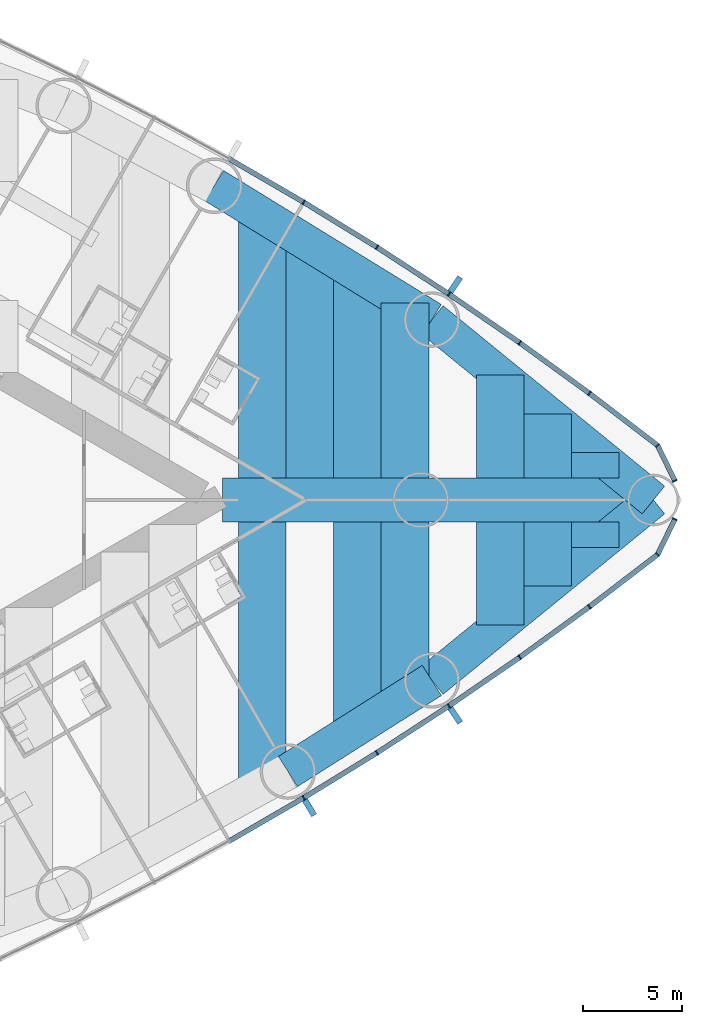
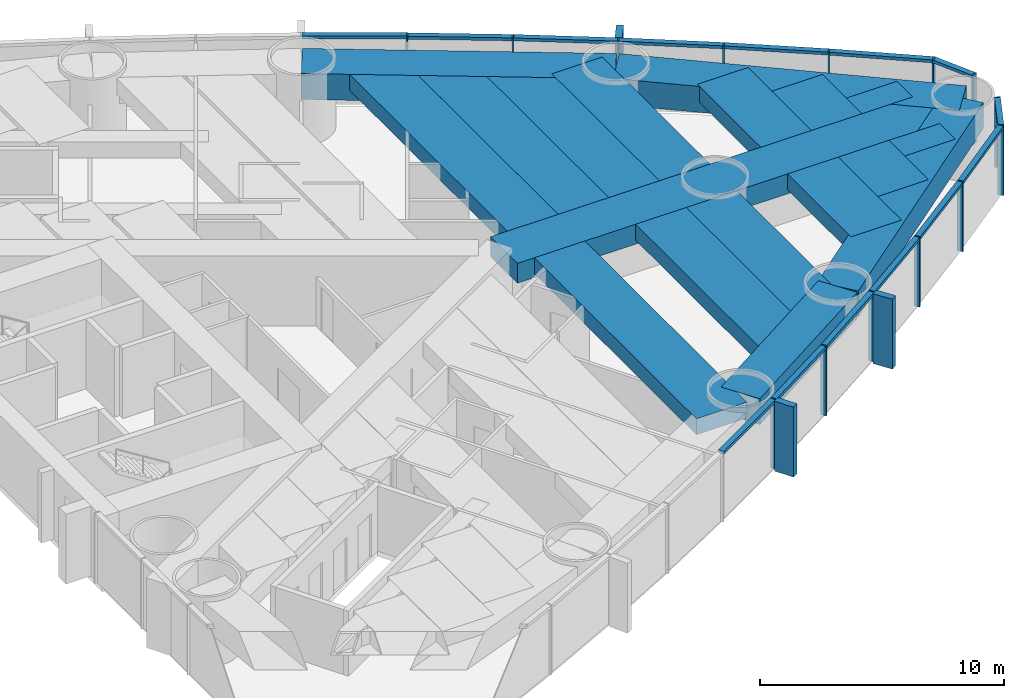
# One storey, part 8 of 19: 31 members, 18 beams, 2 elements without a shape of their own.
"""IFC4 building model written with IfcOpenShell, lengths in metres."""

from ifc_helpers import new_model, si_unit, direction, frame, origin, origin_2d, place, context, subcontext, project, spatial, rectangle, extrude, material, material_profile, profile_set, type_object, element, aggregate, save


model = new_model("IFC4")

# Units and contexts
model_context = context("Model", 3, precision=1e-05, world=origin(), true_north=direction((0.0, 1.0)))
body_context = subcontext(model_context, "Body", "Model", "MODEL_VIEW")
ifc_project = project(units=[si_unit("LENGTHUNIT", "METRE"), si_unit("AREAUNIT", "SQUARE_METRE"), si_unit("VOLUMEUNIT", "CUBIC_METRE"), si_unit("PLANEANGLEUNIT", "RADIAN"), si_unit("MASSUNIT", "GRAM", prefix="KILO")], contexts=[model_context])

# Site, building, storey
site_placement = place(None, origin())
site = spatial("IfcSite", under=ifc_project, at=site_placement, CompositionType="ELEMENT")
building_placement = place(site_placement, origin())
building = spatial("IfcBuilding", under=site, at=building_placement, Name="Lancet Gate Hotel", CompositionType="ELEMENT")
storey_placement = place(building_placement, frame((0.0, 0.0, 32.0)))
storey = spatial("IfcBuildingStorey", under=building, at=storey_placement, Name="L07", CompositionType="ELEMENT", Elevation=32.0)

# Curtain wall, members
ifc_material_1 = material(Name="Aluminium curtain wall", Category="aluminium")
curtain_wall_type = type_object("IfcCurtainWallType", Name="Tower unitised curtain wall", PredefinedType="USERDEFINED", material=ifc_material_1)
curtain_wall_1_placement = place(storey_placement, origin())
curtain_wall_1 = element("IfcCurtainWall", 1, at=curtain_wall_1_placement, inside=storey, type_object=curtain_wall_type, Name="T2 L07 curtain wall 2", ObjectType="UNITISED CURTAIN WALL", PredefinedType="USERDEFINED")
ifc_material_2 = material(Name="Aluminium mullion", Category="aluminium")
ifc_material_profile_1 = material_profile(ifc_material_2, rectangle(XDim=0.06494140625, YDim=0.25, at=origin_2d()), Name="MULLION 65x250")
ifc_profile_set_1 = profile_set([ifc_material_profile_1], Name="Aluminium mullion")
member_type_1 = type_object("IfcMemberType", Name="Aluminium mullion 65x250", PredefinedType="MULLION", material=ifc_profile_set_1)
member_1_placement = place(storey_placement, frame((55.590087890625, -15.03125, 0.0), z_axis=(0.0, 0.0, 1.0), x_axis=(0.858413008828, 0.512959166284, 0.0)))
member_1 = element("IfcMember", 2, at=member_1_placement, type_object=member_type_1, Name="T2 L07 curtain wall 2 mullion 8", PredefinedType="MULLION", context=body_context, shape_type="SweptSolid", body=[
    extrude(rectangle(XDim=0.06494140625, YDim=0.25, at=origin_2d()), origin(), (0.0, 0.0, 1.0), 3.5),
])
member_2_placement = place(storey_placement, frame((59.28515625, -12.7587890625, 0.0), z_axis=(0.0, 0.0, 1.0), x_axis=(0.845079420983, 0.534640788035, 0.0)))
member_2 = element("IfcMember", 3, at=member_2_placement, type_object=member_type_1, Name="T2 L07 curtain wall 2 mullion 9", PredefinedType="MULLION", context=body_context, shape_type="SweptSolid", body=[
    extrude(rectangle(XDim=0.06494140625, YDim=0.25, at=origin_2d()), origin(), (0.0, 0.0, 1.0), 3.5),
])
member_3_placement = place(storey_placement, frame((62.921142578125, -10.393310546875, 0.0), z_axis=(0.0, 0.0, 1.0), x_axis=(0.831198325377, 0.555976028162, 0.0)))
member_3 = element("IfcMember", 4, at=member_3_placement, type_object=member_type_1, Name="T2 L07 curtain wall 2 mullion 10", PredefinedType="MULLION", context=body_context, shape_type="SweptSolid", body=[
    extrude(rectangle(XDim=0.06494140625, YDim=0.25, at=origin_2d()), origin(), (0.0, 0.0, 1.0), 3.5),
])
member_4_placement = place(storey_placement, frame((66.49560546875, -7.935791015625, 0.0), z_axis=(0.0, 0.0, 1.0), x_axis=(0.816778715254, 0.576951064049, 0.0)))
member_4 = element("IfcMember", 5, at=member_4_placement, type_object=member_type_1, Name="T2 L07 curtain wall 2 mullion 11", PredefinedType="MULLION", context=body_context, shape_type="SweptSolid", body=[
    extrude(rectangle(XDim=0.06494140625, YDim=0.25, at=origin_2d()), origin(), (0.0, 0.0, 1.0), 3.5),
])
member_5_placement = place(storey_placement, frame((70.00634765625, -5.388427734375, 0.0), z_axis=(0.0, 0.0, 1.0), x_axis=(0.801829932754, 0.597552306447, 0.0)))
member_5 = element("IfcMember", 6, at=member_5_placement, type_object=member_type_1, Name="T2 L07 curtain wall 2 mullion 12", PredefinedType="MULLION", context=body_context, shape_type="SweptSolid", body=[
    extrude(rectangle(XDim=0.06494140625, YDim=0.25, at=origin_2d()), origin(), (0.0, 0.0, 1.0), 3.5),
])
member_6_placement = place(storey_placement, frame((73.451416015625, -2.752197265625, 0.0), z_axis=(0.0, 0.0, 1.0), x_axis=(0.697983022443, 0.716114306784, 0.0)))
member_6 = element("IfcMember", 7, at=member_6_placement, type_object=member_type_1, Name="T2 L07 curtain wall 2 mullion 13", PredefinedType="MULLION", context=body_context, shape_type="SweptSolid", body=[
    extrude(rectangle(XDim=0.06494140625, YDim=0.25, at=origin_2d()), origin(), (0.0, 0.0, 1.0), 3.5),
])
member_7_placement = place(storey_placement, frame((74.322265625, -0.96044921875, 0.0), z_axis=(0.0, 0.0, 1.0), x_axis=(0.437169070119, 0.899379343843, 0.0)))
member_7 = element("IfcMember", 8, at=member_7_placement, type_object=member_type_1, Name="T2 L07 curtain wall 2 mullion 14", PredefinedType="MULLION", context=body_context, shape_type="SweptSolid", body=[
    extrude(rectangle(XDim=0.06494140625, YDim=0.25, at=origin_2d()), origin(), (0.0, 0.0, 1.0), 3.5),
])

curtain_wall_2_placement = place(storey_placement, origin())
curtain_wall_2 = element("IfcCurtainWall", 9, at=curtain_wall_2_placement, inside=storey, type_object=curtain_wall_type, Name="T2 L07 curtain wall 3", ObjectType="UNITISED CURTAIN WALL", PredefinedType="USERDEFINED")
member_8_placement = place(storey_placement, frame((74.322265625, 0.96044921875, 0.0), z_axis=(0.0, 0.0, 1.0), x_axis=(-0.437169070119, 0.899379343843, 0.0)))
member_8 = element("IfcMember", 10, at=member_8_placement, type_object=member_type_1, Name="T2 L07 curtain wall 3 mullion 1", PredefinedType="MULLION", context=body_context, shape_type="SweptSolid", body=[
    extrude(rectangle(XDim=0.06494140625, YDim=0.25, at=origin_2d()), origin(), (0.0, 0.0, 1.0), 3.5),
])
member_9_placement = place(storey_placement, frame((73.451416015625, 2.752197265625, 0.0), z_axis=(0.0, 0.0, 1.0), x_axis=(-0.697983022443, 0.716114306784, 0.0)))
member_9 = element("IfcMember", 11, at=member_9_placement, type_object=member_type_1, Name="T2 L07 curtain wall 3 mullion 2", PredefinedType="MULLION", context=body_context, shape_type="SweptSolid", body=[
    extrude(rectangle(XDim=0.06494140625, YDim=0.25, at=origin_2d()), origin(), (0.0, 0.0, 1.0), 3.5),
])
member_10_placement = place(storey_placement, frame((70.00634765625, 5.388427734375, 0.0), z_axis=(0.0, 0.0, 1.0), x_axis=(-0.801829932754, 0.597552306447, 0.0)))
member_10 = element("IfcMember", 12, at=member_10_placement, type_object=member_type_1, Name="T2 L07 curtain wall 3 mullion 3", PredefinedType="MULLION", context=body_context, shape_type="SweptSolid", body=[
    extrude(rectangle(XDim=0.06494140625, YDim=0.25, at=origin_2d()), origin(), (0.0, 0.0, 1.0), 3.5),
])
member_11_placement = place(storey_placement, frame((66.49560546875, 7.935791015625, 0.0), z_axis=(0.0, 0.0, 1.0), x_axis=(-0.816778715254, 0.576951064049, 0.0)))
member_11 = element("IfcMember", 13, at=member_11_placement, type_object=member_type_1, Name="T2 L07 curtain wall 3 mullion 4", PredefinedType="MULLION", context=body_context, shape_type="SweptSolid", body=[
    extrude(rectangle(XDim=0.06494140625, YDim=0.25, at=origin_2d()), origin(), (0.0, 0.0, 1.0), 3.5),
])
member_12_placement = place(storey_placement, frame((62.921142578125, 10.393310546875, 0.0), z_axis=(0.0, 0.0, 1.0), x_axis=(-0.831198325377, 0.555976028162, 0.0)))
member_12 = element("IfcMember", 14, at=member_12_placement, type_object=member_type_1, Name="T2 L07 curtain wall 3 mullion 5", PredefinedType="MULLION", context=body_context, shape_type="SweptSolid", body=[
    extrude(rectangle(XDim=0.06494140625, YDim=0.25, at=origin_2d()), origin(), (0.0, 0.0, 1.0), 3.5),
])
member_13_placement = place(storey_placement, frame((59.28515625, 12.7587890625, 0.0), z_axis=(0.0, 0.0, 1.0), x_axis=(-0.845079420983, 0.534640788035, 0.0)))
member_13 = element("IfcMember", 15, at=member_13_placement, type_object=member_type_1, Name="T2 L07 curtain wall 3 mullion 6", PredefinedType="MULLION", context=body_context, shape_type="SweptSolid", body=[
    extrude(rectangle(XDim=0.06494140625, YDim=0.25, at=origin_2d()), origin(), (0.0, 0.0, 1.0), 3.5),
])
member_14_placement = place(storey_placement, frame((55.590087890625, 15.03125, 0.0), z_axis=(0.0, 0.0, 1.0), x_axis=(-0.858413008828, 0.512959166284, 0.0)))
member_14 = element("IfcMember", 16, at=member_14_placement, type_object=member_type_1, Name="T2 L07 curtain wall 3 mullion 7", PredefinedType="MULLION", context=body_context, shape_type="SweptSolid", body=[
    extrude(rectangle(XDim=0.06494140625, YDim=0.25, at=origin_2d()), origin(), (0.0, 0.0, 1.0), 3.5),
])

# Member
ifc_material_3 = material(Name="Aluminium transom", Category="aluminium")
ifc_material_profile_2 = material_profile(ifc_material_3, rectangle(XDim=0.25, YDim=0.14990234375, at=origin_2d()), Name="TRANSOM 250x150")
ifc_profile_set_2 = profile_set([ifc_material_profile_2], Name="Aluminium transom")
member_type_2 = type_object("IfcMemberType", Name="Aluminium transom 250x150", PredefinedType="USERDEFINED", material=ifc_profile_set_2)
member_15_placement = place(storey_placement, frame((51.86669921875, -17.1923828125, 3.425048828125), z_axis=(0.864854571156, 0.502022480324, 0.0), x_axis=(-0.502022480324, 0.864854571156, 0.0)))
member_15 = element("IfcMember", 17, at=member_15_placement, type_object=member_type_2, Name="T2 L07 curtain wall 2 transom 7", ObjectType="TRANSOM", PredefinedType="USERDEFINED", context=body_context, shape_type="SweptSolid", body=[
    extrude(rectangle(XDim=0.25, YDim=0.14990234375, at=origin_2d()), origin(), (0.0, 0.0, 1.0), 4.272705078125),
])

member_16_placement = place(storey_placement, frame((55.617919921875, -15.01416015625, 3.425048828125), z_axis=(0.851815224451, 0.523842365023, 0.0), x_axis=(-0.523842365023, 0.851815224451, 0.0)))
member_16 = element("IfcMember", 18, at=member_16_placement, type_object=member_type_2, Name="T2 L07 curtain wall 2 transom 8", ObjectType="TRANSOM", PredefinedType="USERDEFINED", context=body_context, shape_type="SweptSolid", body=[
    extrude(rectangle(XDim=0.25, YDim=0.14990234375, at=origin_2d()), origin(), (0.0, 0.0, 1.0), 4.272705078125),
])

member_17_placement = place(storey_placement, frame((59.3125, -12.7412109375, 3.425048828125), z_axis=(0.83817850664, 0.545395994674, 0.0), x_axis=(-0.545395994674, 0.83817850664, 0.0)))
member_17 = element("IfcMember", 19, at=member_17_placement, type_object=member_type_2, Name="T2 L07 curtain wall 2 transom 9", ObjectType="TRANSOM", PredefinedType="USERDEFINED", context=body_context, shape_type="SweptSolid", body=[
    extrude(rectangle(XDim=0.25, YDim=0.14990234375, at=origin_2d()), origin(), (0.0, 0.0, 1.0), 4.272705078125),
])

member_18_placement = place(storey_placement, frame((62.94775390625, -10.374755859375, 3.425048828125), z_axis=(0.824071932869, 0.566485171437, 0.0), x_axis=(-0.566485171437, 0.824071932869, 0.0)))
member_18 = element("IfcMember", 20, at=member_18_placement, type_object=member_type_2, Name="T2 L07 curtain wall 2 transom 10", ObjectType="TRANSOM", PredefinedType="USERDEFINED", context=body_context, shape_type="SweptSolid", body=[
    extrude(rectangle(XDim=0.25, YDim=0.14990234375, at=origin_2d()), origin(), (0.0, 0.0, 1.0), 4.272705078125),
])

member_19_placement = place(storey_placement, frame((66.52197265625, -7.916748046875, 3.425048828125), z_axis=(0.809382971085, 0.587281198505, 0.0), x_axis=(-0.587281198505, 0.809382971085, 0.0)))
member_19 = element("IfcMember", 21, at=member_19_placement, type_object=member_type_2, Name="T2 L07 curtain wall 2 transom 11", ObjectType="TRANSOM", PredefinedType="USERDEFINED", context=body_context, shape_type="SweptSolid", body=[
    extrude(rectangle(XDim=0.25, YDim=0.14990234375, at=origin_2d()), origin(), (0.0, 0.0, 1.0), 4.272705078125),
])

member_20_placement = place(storey_placement, frame((70.0322265625, -5.36865234375, 3.425048828125), z_axis=(0.794155062652, 0.607715177089, 0.0), x_axis=(-0.607715177089, 0.794155062652, 0.0)))
member_20 = element("IfcMember", 22, at=member_20_placement, type_object=member_type_2, Name="T2 L07 curtain wall 2 transom 12", ObjectType="TRANSOM", PredefinedType="USERDEFINED", context=body_context, shape_type="SweptSolid", body=[
    extrude(rectangle(XDim=0.25, YDim=0.14990234375, at=origin_2d()), origin(), (0.0, 0.0, 1.0), 4.27294921875),
])

member_21_placement = place(storey_placement, frame((73.465576171875, -2.72314453125, 3.425048828125), z_axis=(0.437103060611, 0.899411426659, 0.0), x_axis=(-0.899411426659, 0.437103060611, 0.0)))
member_21 = element("IfcMember", 23, at=member_21_placement, type_object=member_type_2, Name="T2 L07 curtain wall 2 transom 13", ObjectType="TRANSOM", PredefinedType="USERDEFINED", context=body_context, shape_type="SweptSolid", body=[
    extrude(rectangle(XDim=0.25, YDim=0.14990234375, at=origin_2d()), origin(), (0.0, 0.0, 1.0), 1.927490234375),
])

member_22_placement = place(storey_placement, frame((74.30810546875, 0.989501953125, 3.425048828125), z_axis=(-0.437103060611, 0.899411426659, 0.0), x_axis=(-0.899411426659, -0.437103060611, 0.0)))
member_22 = element("IfcMember", 24, at=member_22_placement, type_object=member_type_2, Name="T2 L07 curtain wall 3 transom 1", ObjectType="TRANSOM", PredefinedType="USERDEFINED", context=body_context, shape_type="SweptSolid", body=[
    extrude(rectangle(XDim=0.25, YDim=0.14990234375, at=origin_2d()), origin(), (0.0, 0.0, 1.0), 1.927490234375),
])

member_23_placement = place(storey_placement, frame((73.425537109375, 2.77197265625, 3.425048828125), z_axis=(-0.794155062652, 0.607715177089, 0.0), x_axis=(-0.607715177089, -0.794155062652, 0.0)))
member_23 = element("IfcMember", 25, at=member_23_placement, type_object=member_type_2, Name="T2 L07 curtain wall 3 transom 2", ObjectType="TRANSOM", PredefinedType="USERDEFINED", context=body_context, shape_type="SweptSolid", body=[
    extrude(rectangle(XDim=0.25, YDim=0.14990234375, at=origin_2d()), origin(), (0.0, 0.0, 1.0), 4.27294921875),
])

member_24_placement = place(storey_placement, frame((69.980224609375, 5.407470703125, 3.425048828125), z_axis=(-0.809382971085, 0.587281198505, 0.0), x_axis=(-0.587281198505, -0.809382971085, 0.0)))
member_24 = element("IfcMember", 26, at=member_24_placement, type_object=member_type_2, Name="T2 L07 curtain wall 3 transom 3", ObjectType="TRANSOM", PredefinedType="USERDEFINED", context=body_context, shape_type="SweptSolid", body=[
    extrude(rectangle(XDim=0.25, YDim=0.14990234375, at=origin_2d()), origin(), (0.0, 0.0, 1.0), 4.272705078125),
])

member_25_placement = place(storey_placement, frame((66.46875, 7.954345703125, 3.425048828125), z_axis=(-0.824071932869, 0.566485171437, 0.0), x_axis=(-0.566485171437, -0.824071932869, 0.0)))
member_25 = element("IfcMember", 27, at=member_25_placement, type_object=member_type_2, Name="T2 L07 curtain wall 3 transom 4", ObjectType="TRANSOM", PredefinedType="USERDEFINED", context=body_context, shape_type="SweptSolid", body=[
    extrude(rectangle(XDim=0.25, YDim=0.14990234375, at=origin_2d()), origin(), (0.0, 0.0, 1.0), 4.272705078125),
])

member_26_placement = place(storey_placement, frame((62.893798828125, 10.410888671875, 3.425048828125), z_axis=(-0.83817850664, 0.545395994674, 0.0), x_axis=(-0.545395994674, -0.83817850664, 0.0)))
member_26 = element("IfcMember", 28, at=member_26_placement, type_object=member_type_2, Name="T2 L07 curtain wall 3 transom 5", ObjectType="TRANSOM", PredefinedType="USERDEFINED", context=body_context, shape_type="SweptSolid", body=[
    extrude(rectangle(XDim=0.25, YDim=0.14990234375, at=origin_2d()), origin(), (0.0, 0.0, 1.0), 4.272705078125),
])

member_27_placement = place(storey_placement, frame((59.257568359375, 12.77587890625, 3.425048828125), z_axis=(-0.851815224451, 0.523842365023, 0.0), x_axis=(-0.523842365023, -0.851815224451, 0.0)))
member_27 = element("IfcMember", 29, at=member_27_placement, type_object=member_type_2, Name="T2 L07 curtain wall 3 transom 6", ObjectType="TRANSOM", PredefinedType="USERDEFINED", context=body_context, shape_type="SweptSolid", body=[
    extrude(rectangle(XDim=0.25, YDim=0.14990234375, at=origin_2d()), origin(), (0.0, 0.0, 1.0), 4.272705078125),
])

member_28_placement = place(storey_placement, frame((55.56201171875, 15.04736328125, 3.425048828125), z_axis=(-0.864854571156, 0.502022480324, 0.0), x_axis=(-0.502022480324, -0.864854571156, 0.0)))
member_28 = element("IfcMember", 30, at=member_28_placement, type_object=member_type_2, Name="T2 L07 curtain wall 3 transom 7", ObjectType="TRANSOM", PredefinedType="USERDEFINED", context=body_context, shape_type="SweptSolid", body=[
    extrude(rectangle(XDim=0.25, YDim=0.14990234375, at=origin_2d()), origin(), (0.0, 0.0, 1.0), 4.272705078125),
])

# Beams
ifc_material_4 = material(Name="Concrete C50/60", Category="concrete")
ifc_material_profile_3 = material_profile(ifc_material_4, rectangle(XDim=1.800048828125, YDim=1.300048828125, at=origin_2d()), Name="RC 1800x1300")
ifc_profile_set_3 = profile_set([ifc_material_profile_3], Name="Concrete C50/60")
beam_type_1 = type_object("IfcBeamType", Name="Edge beam RC 1800x1300", PredefinedType="SPANDREL", material=ifc_profile_set_3)
beam_1_placement = place(storey_placement, frame((54.795166015625, -13.70068359375, 2.60009765625), z_axis=(0.845078312276, 0.534642540508, 0.0), x_axis=(-0.534642540508, 0.845078312276, 0.0)))
element("IfcBeam", 31, at=beam_1_placement, inside=storey, type_object=beam_type_1, Name="T2 edge beam EB1 L07", PredefinedType="SPANDREL", context=body_context, shape_type="SweptSolid", body=[
    extrude(rectangle(XDim=1.800048828125, YDim=1.300048828125, at=origin_2d()), origin(), (0.0, 0.0, 1.0), 8.595947265625),
])
for number, where, z_axis, x_axis, name in (
    (32, (62.059326171875, -9.10498046875, 2.60009765625), (0.775390970005, 0.631481467372, 0.0), (-0.631481467372, 0.775390970005, 0.0), "T2 edge beam EB1 L07"),
    (33, (73.2392578125, 0.0, 2.60009765625), (-0.775390970005, 0.631481467372, 0.0), (-0.631481467372, -0.775390970005, 0.0), "T2 edge beam EB1 L07"),
):
    element("IfcBeam", number, at=place(storey_placement, frame(where, z_axis=z_axis, x_axis=x_axis)), inside=storey, type_object=beam_type_1, Name=name, PredefinedType="SPANDREL", context=body_context, shape_type="SweptSolid", body=[
        extrude(rectangle(XDim=1.800048828125, YDim=1.300048828125, at=origin_2d()), origin(), (0.0, 0.0, 1.0), 14.41845703125),
    ])
beam_2_placement = place(storey_placement, frame((62.059326171875, 9.10498046875, 2.60009765625), z_axis=(-0.851815628025, 0.523841708775, 0.0), x_axis=(-0.523841708775, -0.851815628025, 0.0)))
element("IfcBeam", 34, at=beam_2_placement, inside=storey, type_object=beam_type_1, Name="T2 edge beam EB1 L07", PredefinedType="SPANDREL", context=body_context, shape_type="SweptSolid", body=[
    extrude(rectangle(XDim=1.800048828125, YDim=1.300048828125, at=origin_2d()), origin(), (0.0, 0.0, 1.0), 12.89208984375),
])

# Member
ifc_material_5 = material(Name="Precast concrete C50/60", Category="concrete")
ifc_material_profile_4 = material_profile(ifc_material_5, rectangle(XDim=0.300048828125, YDim=0.89990234375, at=origin_2d()), Name="FIN 300x900")
ifc_profile_set_4 = profile_set([ifc_material_profile_4], Name="Precast concrete C50/60")
member_type_3 = type_object("IfcMemberType", Name="Exposed concrete fin 300x900", PredefinedType="USERDEFINED", material=ifc_profile_set_4)
member_29_placement = place(storey_placement, frame((55.88525390625, -15.524658203125, 0.0), z_axis=(0.0, 0.0, 1.0), x_axis=(0.858413008828, 0.512959166284, 0.0)))
member_29 = element("IfcMember", 35, at=member_29_placement, type_object=member_type_3, Name="T2 L07 curtain wall 2 fin 8", ObjectType="FIN", PredefinedType="USERDEFINED", context=body_context, shape_type="SweptSolid", body=[
    extrude(rectangle(XDim=0.300048828125, YDim=0.89990234375, at=origin_2d()), origin(), (0.0, 0.0, 1.0), 3.5),
])

member_30_placement = place(storey_placement, frame((63.24072265625, -10.87109375, 0.0), z_axis=(0.0, 0.0, 1.0), x_axis=(0.831198325377, 0.555976028162, 0.0)))
member_30 = element("IfcMember", 36, at=member_30_placement, type_object=member_type_3, Name="T2 L07 curtain wall 2 fin 10", ObjectType="FIN", PredefinedType="USERDEFINED", context=body_context, shape_type="SweptSolid", body=[
    extrude(rectangle(XDim=0.300048828125, YDim=0.89990234375, at=origin_2d()), origin(), (0.0, 0.0, 1.0), 3.5),
])

aggregate(curtain_wall_1, [member_1, member_29, member_2, member_3, member_30, member_4, member_5, member_6, member_7, member_15, member_16, member_17, member_18, member_19, member_20, member_21])

member_31_placement = place(storey_placement, frame((63.24072265625, 10.87109375, 0.0), z_axis=(0.0, 0.0, 1.0), x_axis=(-0.831198325377, 0.555976028162, 0.0)))
member_31 = element("IfcMember", 37, at=member_31_placement, type_object=member_type_3, Name="T2 L07 curtain wall 3 fin 5", ObjectType="FIN", PredefinedType="USERDEFINED", context=body_context, shape_type="SweptSolid", body=[
    extrude(rectangle(XDim=0.300048828125, YDim=0.89990234375, at=origin_2d()), origin(), (0.0, 0.0, 1.0), 3.5),
])

aggregate(curtain_wall_2, [member_8, member_9, member_10, member_11, member_12, member_31, member_13, member_14, member_22, member_23, member_24, member_25, member_26, member_27, member_28])

# Beams
ifc_material_6 = material(Name="Concrete C50/60", Category="concrete")
ifc_material_profile_5 = material_profile(ifc_material_6, rectangle(XDim=2.39990234375, YDim=0.800048828125, at=origin_2d()), Name="RC 2400x800")
ifc_profile_set_5 = profile_set([ifc_material_profile_5], Name="Concrete C50/60")
beam_type_2 = type_object("IfcBeamType", Name="Floor beam RC 2400x800", PredefinedType="BEAM", material=ifc_profile_set_5)
beam_3_placement = place(storey_placement, frame((53.502197265625, -14.40771484375, 2.85009765625), z_axis=(0.0, 1.0, 0.0), x_axis=(-1.0, 0.0, 0.0)))
element("IfcBeam", 38, at=beam_3_placement, inside=storey, type_object=beam_type_2, Name="T2 floor beam F16S L07", PredefinedType="BEAM", context=body_context, shape_type="SweptSolid", body=[
    extrude(rectangle(XDim=2.39990234375, YDim=0.800048828125, at=origin_2d()), origin(), (0.0, 0.0, 1.0), 13.3076171875),
])
beam_4_placement = place(storey_placement, frame((53.502197265625, 1.10009765625, 2.85009765625), z_axis=(0.0, 1.0, 0.0), x_axis=(-1.0, 0.0, 0.0)))
element("IfcBeam", 39, at=beam_4_placement, inside=storey, type_object=beam_type_2, Name="T2 floor beam F17N L07", PredefinedType="BEAM", context=body_context, shape_type="SweptSolid", body=[
    extrude(rectangle(XDim=2.39990234375, YDim=0.800048828125, at=origin_2d()), origin(), (0.0, 0.0, 1.0), 13.26708984375),
])
beam_5_placement = place(storey_placement, frame((55.90234375, 1.10009765625, 2.85009765625), z_axis=(0.0, 1.0, 0.0), x_axis=(-1.0, 0.0, 0.0)))
element("IfcBeam", 40, at=beam_5_placement, inside=storey, type_object=beam_type_2, Name="T2 floor beam F18N L07", PredefinedType="BEAM", context=body_context, shape_type="SweptSolid", body=[
    extrude(rectangle(XDim=2.39990234375, YDim=0.800048828125, at=origin_2d()), origin(), (0.0, 0.0, 1.0), 11.791259765625),
])
beam_6_placement = place(storey_placement, frame((58.30224609375, -11.48193359375, 2.85009765625), z_axis=(0.0, 1.0, 0.0), x_axis=(-1.0, 0.0, 0.0)))
element("IfcBeam", 41, at=beam_6_placement, inside=storey, type_object=beam_type_2, Name="T2 floor beam F19S L07", PredefinedType="BEAM", context=body_context, shape_type="SweptSolid", body=[
    extrude(rectangle(XDim=2.39990234375, YDim=0.800048828125, at=origin_2d()), origin(), (0.0, 0.0, 1.0), 10.3818359375),
])
beam_7_placement = place(storey_placement, frame((58.30224609375, 1.10009765625, 2.85009765625), z_axis=(0.0, 1.0, 0.0), x_axis=(-1.0, 0.0, 0.0)))
element("IfcBeam", 42, at=beam_7_placement, inside=storey, type_object=beam_type_2, Name="T2 floor beam F20N L07", PredefinedType="BEAM", context=body_context, shape_type="SweptSolid", body=[
    extrude(rectangle(XDim=2.39990234375, YDim=0.800048828125, at=origin_2d()), origin(), (0.0, 0.0, 1.0), 10.3154296875),
])
beam_8_placement = place(storey_placement, frame((60.7021484375, -9.96337890625, 2.85009765625), z_axis=(0.0, 1.0, 0.0), x_axis=(-1.0, 0.0, 0.0)))
element("IfcBeam", 43, at=beam_8_placement, inside=storey, type_object=beam_type_2, Name="T2 floor beam F21S L07", PredefinedType="BEAM", context=body_context, shape_type="SweptSolid", body=[
    extrude(rectangle(XDim=2.39990234375, YDim=0.800048828125, at=origin_2d()), origin(), (0.0, 0.0, 1.0), 8.86328125),
])
beam_9_placement = place(storey_placement, frame((60.7021484375, 1.10009765625, 2.85009765625), z_axis=(0.0, 1.0, 0.0), x_axis=(-1.0, 0.0, 0.0)))
element("IfcBeam", 44, at=beam_9_placement, inside=storey, type_object=beam_type_2, Name="T2 floor beam F22N L07", PredefinedType="BEAM", context=body_context, shape_type="SweptSolid", body=[
    extrude(rectangle(XDim=2.39990234375, YDim=0.800048828125, at=origin_2d()), origin(), (0.0, 0.0, 1.0), 8.83935546875),
])
for number, where, z_axis, x_axis, name in (
    (45, (65.502197265625, -6.301025390625, 2.85009765625), (0.0, 1.0, 0.0), (-1.0, 0.0, 0.0), "T2 floor beam F23S L07"),
    (46, (65.502197265625, 1.10009765625, 2.85009765625), (0.0, 1.0, 0.0), (-1.0, 0.0, 0.0), "T2 floor beam F24N L07"),
):
    element("IfcBeam", number, at=place(storey_placement, frame(where, z_axis=z_axis, x_axis=x_axis)), inside=storey, type_object=beam_type_2, Name=name, PredefinedType="BEAM", context=body_context, shape_type="SweptSolid", body=[
        extrude(rectangle(XDim=2.39990234375, YDim=0.800048828125, at=origin_2d()), origin(), (0.0, 0.0, 1.0), 5.200927734375),
    ])
for number, where, z_axis, x_axis, name in (
    (47, (67.90234375, -4.346435546875, 2.85009765625), (0.0, 1.0, 0.0), (-1.0, 0.0, 0.0), "T2 floor beam F25S L07"),
    (48, (67.90234375, 1.10009765625, 2.85009765625), (0.0, 1.0, 0.0), (-1.0, 0.0, 0.0), "T2 floor beam F26N L07"),
):
    element("IfcBeam", number, at=place(storey_placement, frame(where, z_axis=z_axis, x_axis=x_axis)), inside=storey, type_object=beam_type_2, Name=name, PredefinedType="BEAM", context=body_context, shape_type="SweptSolid", body=[
        extrude(rectangle(XDim=2.39990234375, YDim=0.800048828125, at=origin_2d()), origin(), (0.0, 0.0, 1.0), 3.246337890625),
    ])
for number, where, z_axis, x_axis, name in (
    (49, (70.30224609375, -2.391845703125, 2.85009765625), (0.0, 1.0, 0.0), (-1.0, 0.0, 0.0), "T2 floor beam F27S L07"),
    (50, (70.30224609375, 1.10009765625, 2.85009765625), (0.0, 1.0, 0.0), (-1.0, 0.0, 0.0), "T2 floor beam F28N L07"),
):
    element("IfcBeam", number, at=place(storey_placement, frame(where, z_axis=z_axis, x_axis=x_axis)), inside=storey, type_object=beam_type_2, Name=name, PredefinedType="BEAM", context=body_context, shape_type="SweptSolid", body=[
        extrude(rectangle(XDim=2.39990234375, YDim=0.800048828125, at=origin_2d()), origin(), (0.0, 0.0, 1.0), 1.291748046875),
    ])
ifc_material_7 = material(Name="Concrete C50/60", Category="concrete")
ifc_material_profile_6 = material_profile(ifc_material_7, rectangle(XDim=2.199951171875, YDim=1.0, at=origin_2d()), Name="RC 2200x1000")
ifc_profile_set_6 = profile_set([ifc_material_profile_6], Name="Concrete C50/60")
beam_type_3 = type_object("IfcBeamType", Name="Radial floor beam RC 2200x1000", PredefinedType="BEAM", material=ifc_profile_set_6)
beam_10_placement = place(storey_placement, frame((73.2392578125, 0.0, 2.75), z_axis=(-1.0, 0.0, 0.0), x_axis=(0.0, -1.0, 0.0)))
element("IfcBeam", 51, at=beam_10_placement, inside=storey, type_object=beam_type_3, Name="T2 radial beam CA L07", PredefinedType="BEAM", context=body_context, shape_type="SweptSolid", body=[
    extrude(rectangle(XDim=2.199951171875, YDim=1.0, at=origin_2d()), origin(), (0.0, 0.0, 1.0), 21.737060546875),
])

save(model, "model.ifc")
